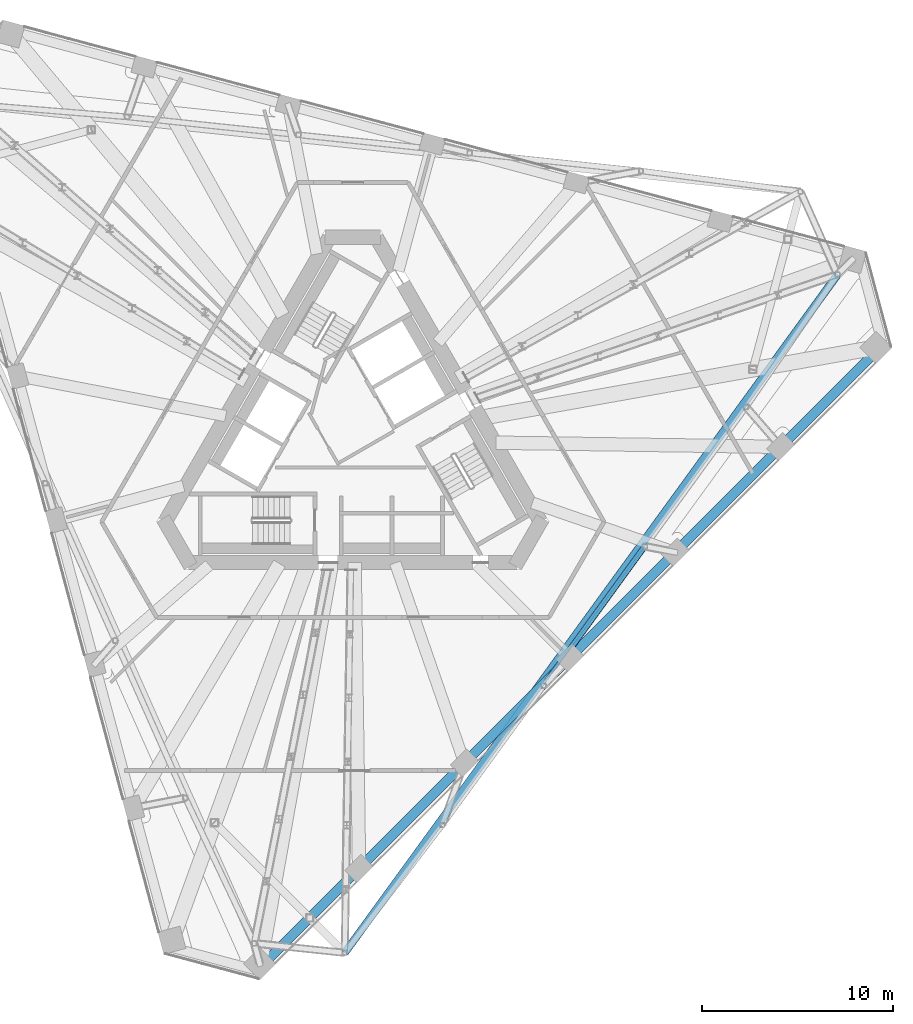
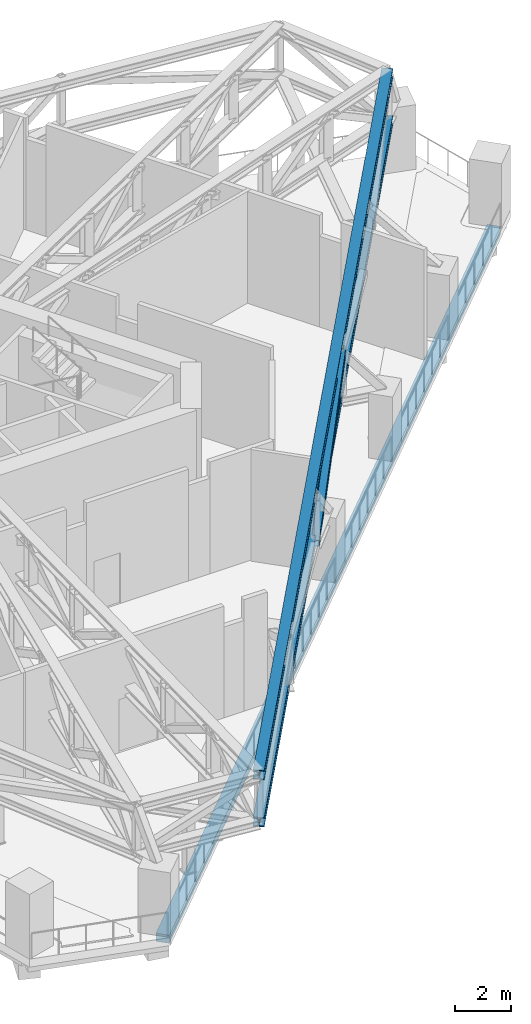
# One storey, part 7 of 22: 3 members, 1 beam.
"""IFC4 building model written with IfcOpenShell, lengths in metres."""

import ifcopenshell
import ifcopenshell.guid

model = None  # the IFC model being written
_history = None  # IfcOwnerHistory: only IFC2X3 demands one
_inside = {}  # id of a spatial element -> (the spatial element, [elements in it])
_under = {}  # id of a project, library or spatial element -> (it, [spatial elements below it])
_declared = {}  # id of a project -> (the project, [libraries it declares])
_typed = {}  # id of a type object -> (the type object, [elements of that type])
_made_of = {}  # id of a material, layer set ... -> (it, [elements and type objects made of it])


def new_model(schema):
    """Start an empty IFC model of exactly this schema.

    Asked for "IFC4X3", IfcOpenShell would pick the latest addendum, in which some entities
    have other attributes; the version numbers below select the first issue.
    IFC2X3 requires an IfcOwnerHistory on every rooted entity: one is made here for all.
    """
    global model, _history
    if schema == "IFC4X3":
        model = ifcopenshell.file(schema_version=(4, 3, 0, 0))
    else:
        model = ifcopenshell.file(schema=schema)
    _inside.clear()
    _under.clear()
    _declared.clear()
    _typed.clear()
    _made_of.clear()
    _history = None
    if model.schema == "IFC2X3":
        org = make("IfcOrganization", Name="unknown")
        user = make(
            "IfcPersonAndOrganization",
            ThePerson=make("IfcPerson", FamilyName="unknown"),
            TheOrganization=org,
        )
        app = make(
            "IfcApplication",
            ApplicationDeveloper=org,
            Version="unknown",
            ApplicationFullName="unknown",
            ApplicationIdentifier="unknown",
        )
        _history = make(
            "IfcOwnerHistory",
            OwningUser=user,
            OwningApplication=app,
            ChangeAction="ADDED",
            CreationDate=0,
        )
    return model


def make(cls, **values):
    """One entity of the class cls with the attributes given. An attribute that is None is left unset."""
    return model.create_entity(
        cls, **{name: value for name, value in values.items() if value is not None}
    )


def rooted(cls, **values):
    """An entity with a GlobalId (a new one), such as an element, a storey or a relation."""
    return make(cls, GlobalId=ifcopenshell.guid.new(), OwnerHistory=_history, **values)


def si_unit(unit_type, name, prefix=None):
    """IfcSIUnit, for example si_unit("LENGTHUNIT", "METRE", prefix="MILLI")."""
    return make("IfcSIUnit", UnitType=unit_type, Prefix=prefix, Name=name)


def assignment(units):
    """IfcUnitAssignment: the units of a project."""
    return None if units is None else make("IfcUnitAssignment", Units=units)


def point(xyz):
    """IfcCartesianPoint."""
    return None if xyz is None else make("IfcCartesianPoint", Coordinates=xyz)


def direction(xyz):
    """IfcDirection."""
    return None if xyz is None else make("IfcDirection", DirectionRatios=xyz)


def frame(location, z_axis=None, x_axis=None):
    """IfcAxis2Placement3D, a coordinate frame: its origin and axes. An axis left out is left unset."""
    return make(
        "IfcAxis2Placement3D",
        Location=point(location),
        Axis=direction(z_axis),
        RefDirection=direction(x_axis),
    )


def frame_2d(location, x_axis=None):
    """IfcAxis2Placement2D, a coordinate frame in the plane: its origin and x axis."""
    return make(
        "IfcAxis2Placement2D", Location=point(location), RefDirection=direction(x_axis)
    )


def origin():
    """The frame at (0, 0, 0) with its axes left unset."""
    return frame((0.0, 0.0, 0.0))


def origin_2d():
    """The frame at (0, 0) in the plane with its x axis left unset."""
    return frame_2d((0.0, 0.0))


def place(relative_to, where):
    """IfcLocalPlacement: puts the frame where relative to a parent placement (None: the world)."""
    return make(
        "IfcLocalPlacement", PlacementRelTo=relative_to, RelativePlacement=where
    )


def context(
    kind, dimensions, precision=None, world=None, true_north=None, identifier=None
):
    """IfcGeometricRepresentationContext, for example the 3D "Model" context."""
    return make(
        "IfcGeometricRepresentationContext",
        ContextIdentifier=identifier,
        ContextType=kind,
        CoordinateSpaceDimension=dimensions,
        Precision=precision,
        WorldCoordinateSystem=world,
        TrueNorth=true_north,
    )


def subcontext(parent, identifier, kind, view, scale=None):
    """IfcGeometricRepresentationSubContext, for example "Body" below "Model"."""
    return make(
        "IfcGeometricRepresentationSubContext",
        ContextIdentifier=identifier,
        ContextType=kind,
        ParentContext=parent,
        TargetScale=scale,
        TargetView=view,
    )


def project(units=None, contexts=None):
    """IfcProject with its units and contexts."""
    return rooted(
        "IfcProject",
        Name="project",
        RepresentationContexts=contexts,
        UnitsInContext=assignment(units),
    )


def spatial(cls, under=None, at=None, **own):
    """A site, building, storey or space (cls), placed at a placement, below another one or the project."""
    s = rooted(cls, ObjectPlacement=at, **own)
    if under is not None:
        _under.setdefault(under.id(), (under, []))[1].append(s)
    return s


def profile(cls, at=None, kind="AREA", **sizes):
    """A parametric profile (cls). Its sizes go by their IFC names, for example OverallWidth=200.0."""
    return make(cls, ProfileType=kind, Position=at, **sizes)


def rectangle(**sizes):
    """IfcRectangleProfileDef."""
    return profile("IfcRectangleProfileDef", **sizes)


def hollow_rectangle(**sizes):
    """IfcRectangleHollowProfileDef."""
    return profile("IfcRectangleHollowProfileDef", **sizes)


def i_section(**sizes):
    """IfcIShapeProfileDef."""
    return profile("IfcIShapeProfileDef", **sizes)


def extrude(swept, where, along, depth):
    """IfcExtrudedAreaSolid: the profile swept, set in the frame where, extruded along a direction by depth."""
    return make(
        "IfcExtrudedAreaSolid",
        SweptArea=swept,
        Position=where,
        ExtrudedDirection=direction(along),
        Depth=depth,
    )


def shape(context_of_items, identifier, shape_type, items):
    """IfcShapeRepresentation: the items that make up one representation, for example the "Body"."""
    return make(
        "IfcShapeRepresentation",
        ContextOfItems=context_of_items,
        RepresentationIdentifier=identifier,
        RepresentationType=shape_type,
        Items=items,
    )


def material(Name=None, Category=None):
    """IfcMaterial."""
    return make("IfcMaterial", Name=Name, Category=Category)


def material_profile(
    of_material, cross_section, Name=None, Category=None, Priority=None
):
    """IfcMaterialProfile: a cross section and its material."""
    return make(
        "IfcMaterialProfile",
        Name=Name,
        Material=of_material,
        Profile=cross_section,
        Priority=Priority,
        Category=Category,
    )


def profile_set(profiles, Name=None, composite=None):
    """IfcMaterialProfileSet."""
    return make(
        "IfcMaterialProfileSet",
        Name=Name,
        MaterialProfiles=profiles,
        CompositeProfile=composite,
    )


def made_of(thing, what):
    """Note that an element or type object is made of a material, layer set ...; save() writes the relation."""
    if what is not None:
        _made_of.setdefault(what.id(), (what, []))[1].append(thing)
    return thing


def type_object(cls, material=None, **own):
    """A type object (cls), such as IfcWallType, which elements share."""
    return made_of(rooted(cls, **own), material)


def element(
    cls,
    number,
    at=None,
    inside=None,
    cuts=None,
    type_object=None,
    material=None,
    context=None,
    identifier="Body",
    shape_type=None,
    held_by="IfcProductDefinitionShape",
    body=None,
    shapes=None,
    **own,
):
    """One element of the class cls, such as IfcWall. Its Tag is "e" and its number.

    at: its placement. inside: the storey or other place that contains it. cuts: it is an
    opening in that element (IfcRelVoidsElement). A single representation is given by context,
    identifier, shape_type and body (its items); several are given by shapes. held_by: the class
    of the entity that holds the representations. save() writes the other relations.
    """
    e = rooted(cls, Tag="e%d" % number, ObjectPlacement=at, **own)
    if body is not None:
        shapes = [shape(context, identifier, shape_type, body)]
    if shapes is not None:
        e.Representation = make(held_by, Representations=shapes)
    if inside is not None:
        _inside.setdefault(inside.id(), (inside, []))[1].append(e)
    if cuts is not None:
        rooted(
            "IfcRelVoidsElement", RelatingBuildingElement=cuts, RelatedOpeningElement=e
        )
    if type_object is not None:
        _typed.setdefault(type_object.id(), (type_object, []))[1].append(e)
    return made_of(e, material)


def aggregate(whole, parts):
    """IfcRelAggregates: a whole, such as a stair, and the parts it consists of."""
    return rooted("IfcRelAggregates", RelatingObject=whole, RelatedObjects=parts)


def save(model, path):
    """Write the relations noted so far, then the file.

    IfcRelAggregates (storeys below a building ...), IfcRelContainedInSpatialStructure (elements
    in a storey), IfcRelDefinesByType, IfcRelAssociatesMaterial and IfcRelDeclares: one each for
    every whole, place, type object, material and project.
    """
    for whole, parts in _under.values():
        aggregate(whole, parts)
    for where, things in _inside.values():
        rooted(
            "IfcRelContainedInSpatialStructure",
            RelatedElements=things,
            RelatingStructure=where,
        )
    for kind, things in _typed.values():
        rooted("IfcRelDefinesByType", RelatedObjects=things, RelatingType=kind)
    for what, things in _made_of.values():
        rooted("IfcRelAssociatesMaterial", RelatedObjects=things, RelatingMaterial=what)
    for by, libraries in _declared.values():
        rooted("IfcRelDeclares", RelatingContext=by, RelatedDefinitions=libraries)
    model.write(path)


model = new_model("IFC4")

# Units and contexts
model_context = context("Model", 3, precision=1e-05, world=origin(), true_north=direction((0.0, 1.0)))
body_context = subcontext(model_context, "Body", "Model", "MODEL_VIEW")
ifc_project = project(units=[si_unit("LENGTHUNIT", "METRE"), si_unit("AREAUNIT", "SQUARE_METRE"), si_unit("VOLUMEUNIT", "CUBIC_METRE"), si_unit("PLANEANGLEUNIT", "RADIAN"), si_unit("MASSUNIT", "GRAM", prefix="KILO")], contexts=[model_context])

# Site, building, storey
site_placement = place(None, origin())
site = spatial("IfcSite", under=ifc_project, at=site_placement, CompositionType="ELEMENT")
building_placement = place(site_placement, origin())
building = spatial("IfcBuilding", under=site, at=building_placement, Name="Tramontana Tower", CompositionType="ELEMENT")
storey_placement = place(building_placement, frame((0.0, 0.0, 232.0)))
storey = spatial("IfcBuildingStorey", under=building, at=storey_placement, Name="L54", CompositionType="ELEMENT", Elevation=232.0)

# Members
ifc_material_1 = material(Name="Steel ASTM A500 Grade C", Category="steel")
ifc_material_profile_1 = material_profile(ifc_material_1, hollow_rectangle(XDim=0.3046875, YDim=0.3046875, WallThickness=0.01171875, InnerFilletRadius=0.01171875, OuterFilletRadius=0.023681640625, at=origin_2d()), Name="HSS12X12X1/2")
ifc_profile_set_1 = profile_set([ifc_material_profile_1], Name="Steel ASTM A500 Grade C")
member_type_1 = type_object("IfcMemberType", Name="Belt truss HSS12X12X1/2 brace", PredefinedType="BRACE", material=ifc_profile_set_1)
member_placement = place(storey_placement, frame((9.9736328125, -12.812744140625, 2.603271484375), z_axis=(0.573210381476, 0.788970533368, 0.221258572817), x_axis=(-0.809021999387, 0.587778363423, 0.0)))
element("IfcMember", 1, at=member_placement, inside=storey, type_object=member_type_1, Name="Belt truss diagonal S1.3", PredefinedType="BRACE", context=body_context, shape_type="SweptSolid", body=[
    extrude(hollow_rectangle(XDim=0.3046875, YDim=0.3046875, WallThickness=0.01171875, InnerFilletRadius=0.01171875, OuterFilletRadius=0.023681640625, at=origin_2d()), origin(), (0.0, 0.0, 1.0), 9.235595703125),
])
ifc_material_2 = material(Name="Steel ASTM A992 Grade 50", Category="steel")
ifc_material_profile_2 = material_profile(ifc_material_2, i_section(OverallWidth=0.4033203125, OverallDepth=0.406494140625, WebThickness=0.027099609375, FlangeThickness=0.04443359375, FilletRadius=0.01513671875, at=origin_2d()), Name="W14X233")
ifc_profile_set_2 = profile_set([ifc_material_profile_2], Name="Steel ASTM A992 Grade 50")
member_type_2 = type_object("IfcMemberType", Name="Belt truss W14X233 chord", PredefinedType="CHORD", material=ifc_profile_set_2)
for number, where, z_axis, x_axis, name in (
    (2, (-0.42333984375, -26.78271484375, 2.603271484375), (0.587786144413, 0.809016346211, 0.0), (-0.809016346211, 0.587786144413, 0.0), "Belt truss bottom chord S1"),
    (3, (-0.42333984375, -26.78271484375, 4.646728515625), (0.587786144413, 0.809016346211, 0.0), (-0.809016346211, 0.587786144413, 0.0), "Belt truss top chord S1"),
):
    element("IfcMember", number, at=place(storey_placement, frame(where, z_axis=z_axis, x_axis=x_axis)), inside=storey, type_object=member_type_2, Name=name, PredefinedType="CHORD", context=body_context, shape_type="SweptSolid", body=[
        extrude(i_section(OverallWidth=0.4033203125, OverallDepth=0.406494140625, WebThickness=0.027099609375, FlangeThickness=0.04443359375, FilletRadius=0.01513671875, at=origin_2d()), origin(), (0.0, 0.0, 1.0), 43.833251953125),
    ])

# Beam
ifc_material_3 = material(Name="Concrete 40 MPa", Category="concrete")
ifc_material_profile_3 = material_profile(ifc_material_3, rectangle(XDim=0.5, YDim=0.35009765625, at=origin_2d()), Name="RC EDGE BEAM 500X350 40 MPa")
ifc_profile_set_3 = profile_set([ifc_material_profile_3], Name="Concrete 40 MPa")
beam_type = type_object("IfcBeamType", Name="RC EDGE BEAM 500X350 40 MPa", PredefinedType="SPANDREL", material=ifc_profile_set_3)
beam_placement = place(storey_placement, frame((-4.7607421875, -27.458984375, -0.52490234375), z_axis=(0.707106781187, 0.707106781187, 0.0), x_axis=(-0.707106781187, 0.707106781187, 0.0)))
element("IfcBeam", 4, at=beam_placement, inside=storey, type_object=beam_type, Name="Spandrel beam S1 L54", PredefinedType="SPANDREL", context=body_context, shape_type="SweptSolid", body=[
    extrude(rectangle(XDim=0.5, YDim=0.35009765625, at=origin_2d()), origin(), (0.0, 0.0, 1.0), 45.565673828125),
])

save(model, "model.ifc")
